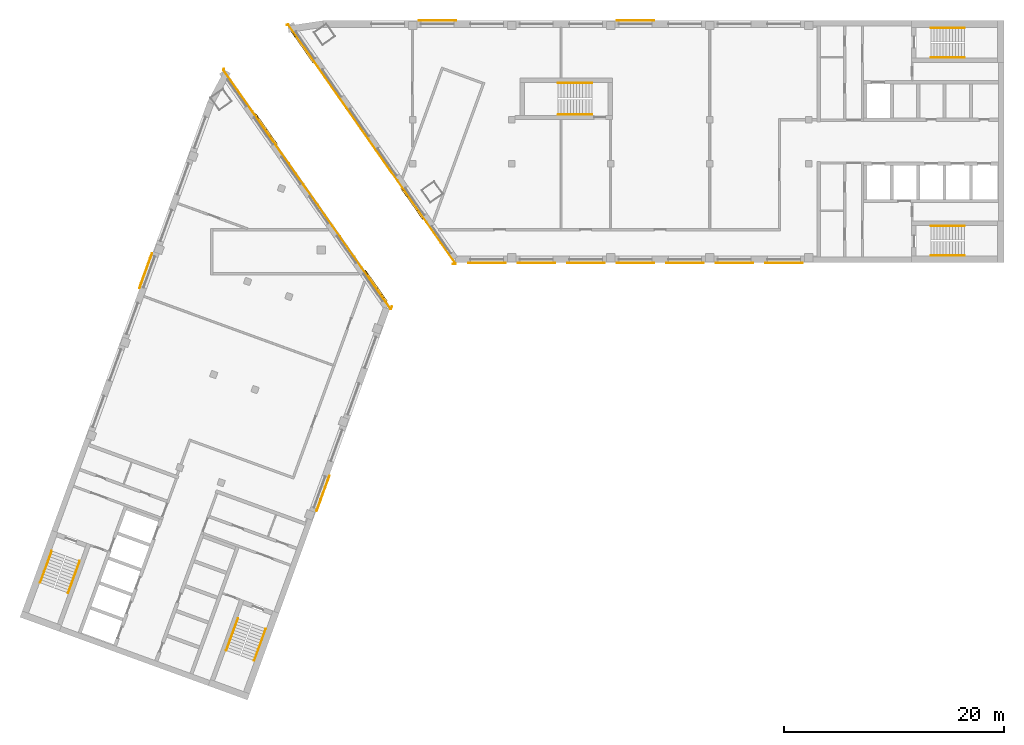
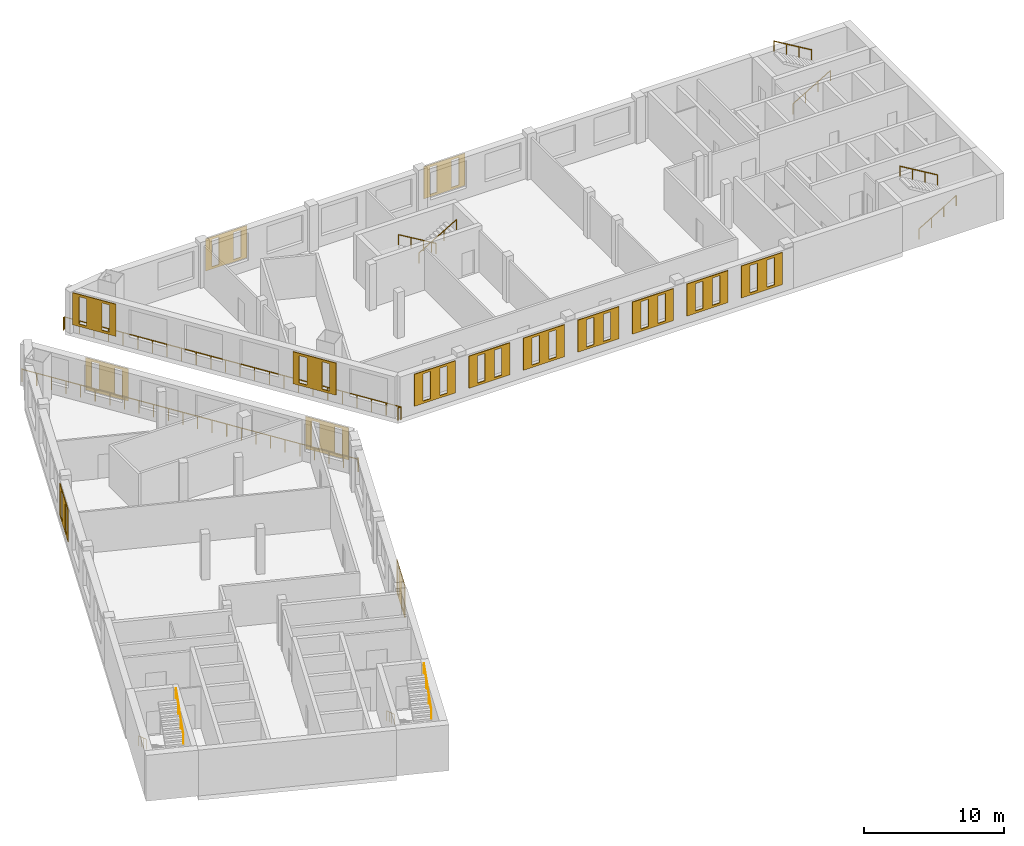
# One storey, part 8 of 8: 15 coverings, 12 railings.
"""IFC4 building model written with IfcOpenShell, lengths in metres."""

import ifcopenshell
import ifcopenshell.guid

model = None  # the IFC model being written
_history = None  # IfcOwnerHistory: only IFC2X3 demands one
_inside = {}  # id of a spatial element -> (the spatial element, [elements in it])
_under = {}  # id of a project, library or spatial element -> (it, [spatial elements below it])
_declared = {}  # id of a project -> (the project, [libraries it declares])
_typed = {}  # id of a type object -> (the type object, [elements of that type])
_made_of = {}  # id of a material, layer set ... -> (it, [elements and type objects made of it])


def new_model(schema):
    """Start an empty IFC model of exactly this schema.

    Asked for "IFC4X3", IfcOpenShell would pick the latest addendum, in which some entities
    have other attributes; the version numbers below select the first issue.
    IFC2X3 requires an IfcOwnerHistory on every rooted entity: one is made here for all.
    """
    global model, _history
    if schema == "IFC4X3":
        model = ifcopenshell.file(schema_version=(4, 3, 0, 0))
    else:
        model = ifcopenshell.file(schema=schema)
    _inside.clear()
    _under.clear()
    _declared.clear()
    _typed.clear()
    _made_of.clear()
    _history = None
    if model.schema == "IFC2X3":
        org = make("IfcOrganization", Name="unknown")
        user = make(
            "IfcPersonAndOrganization",
            ThePerson=make("IfcPerson", FamilyName="unknown"),
            TheOrganization=org,
        )
        app = make(
            "IfcApplication",
            ApplicationDeveloper=org,
            Version="unknown",
            ApplicationFullName="unknown",
            ApplicationIdentifier="unknown",
        )
        _history = make(
            "IfcOwnerHistory",
            OwningUser=user,
            OwningApplication=app,
            ChangeAction="ADDED",
            CreationDate=0,
        )
    return model


def make(cls, **values):
    """One entity of the class cls with the attributes given. An attribute that is None is left unset."""
    return model.create_entity(
        cls, **{name: value for name, value in values.items() if value is not None}
    )


def rooted(cls, **values):
    """An entity with a GlobalId (a new one), such as an element, a storey or a relation."""
    return make(cls, GlobalId=ifcopenshell.guid.new(), OwnerHistory=_history, **values)


def si_unit(unit_type, name, prefix=None):
    """IfcSIUnit, for example si_unit("LENGTHUNIT", "METRE", prefix="MILLI")."""
    return make("IfcSIUnit", UnitType=unit_type, Prefix=prefix, Name=name)


def assignment(units):
    """IfcUnitAssignment: the units of a project."""
    return None if units is None else make("IfcUnitAssignment", Units=units)


def point(xyz):
    """IfcCartesianPoint."""
    return None if xyz is None else make("IfcCartesianPoint", Coordinates=xyz)


def direction(xyz):
    """IfcDirection."""
    return None if xyz is None else make("IfcDirection", DirectionRatios=xyz)


def frame(location, z_axis=None, x_axis=None):
    """IfcAxis2Placement3D, a coordinate frame: its origin and axes. An axis left out is left unset."""
    return make(
        "IfcAxis2Placement3D",
        Location=point(location),
        Axis=direction(z_axis),
        RefDirection=direction(x_axis),
    )


def frame_2d(location, x_axis=None):
    """IfcAxis2Placement2D, a coordinate frame in the plane: its origin and x axis."""
    return make(
        "IfcAxis2Placement2D", Location=point(location), RefDirection=direction(x_axis)
    )


def origin():
    """The frame at (0, 0, 0) with its axes left unset."""
    return frame((0.0, 0.0, 0.0))


def origin_2d():
    """The frame at (0, 0) in the plane with its x axis left unset."""
    return frame_2d((0.0, 0.0))


def place(relative_to, where):
    """IfcLocalPlacement: puts the frame where relative to a parent placement (None: the world)."""
    return make(
        "IfcLocalPlacement", PlacementRelTo=relative_to, RelativePlacement=where
    )


def context(
    kind, dimensions, precision=None, world=None, true_north=None, identifier=None
):
    """IfcGeometricRepresentationContext, for example the 3D "Model" context."""
    return make(
        "IfcGeometricRepresentationContext",
        ContextIdentifier=identifier,
        ContextType=kind,
        CoordinateSpaceDimension=dimensions,
        Precision=precision,
        WorldCoordinateSystem=world,
        TrueNorth=true_north,
    )


def subcontext(parent, identifier, kind, view, scale=None):
    """IfcGeometricRepresentationSubContext, for example "Body" below "Model"."""
    return make(
        "IfcGeometricRepresentationSubContext",
        ContextIdentifier=identifier,
        ContextType=kind,
        ParentContext=parent,
        TargetScale=scale,
        TargetView=view,
    )


def project(units=None, contexts=None):
    """IfcProject with its units and contexts."""
    return rooted(
        "IfcProject",
        Name="project",
        RepresentationContexts=contexts,
        UnitsInContext=assignment(units),
    )


def spatial(cls, under=None, at=None, **own):
    """A site, building, storey or space (cls), placed at a placement, below another one or the project."""
    s = rooted(cls, ObjectPlacement=at, **own)
    if under is not None:
        _under.setdefault(under.id(), (under, []))[1].append(s)
    return s


def polyline(points):
    """IfcPolyline through the points."""
    return make("IfcPolyline", Points=[point(p) for p in points])


def profile(cls, at=None, kind="AREA", **sizes):
    """A parametric profile (cls). Its sizes go by their IFC names, for example OverallWidth=200.0."""
    return make(cls, ProfileType=kind, Position=at, **sizes)


def circle(**sizes):
    """IfcCircleProfileDef."""
    return profile("IfcCircleProfileDef", **sizes)


def outline(outer, holes=None, kind="AREA"):
    """IfcArbitraryClosedProfileDef: a profile drawn as a closed curve; with holes, ...WithVoids."""
    if holes is None:
        return make("IfcArbitraryClosedProfileDef", ProfileType=kind, OuterCurve=outer)
    return make(
        "IfcArbitraryProfileDefWithVoids",
        ProfileType=kind,
        OuterCurve=outer,
        InnerCurves=holes,
    )


def extrude(swept, where, along, depth):
    """IfcExtrudedAreaSolid: the profile swept, set in the frame where, extruded along a direction by depth."""
    return make(
        "IfcExtrudedAreaSolid",
        SweptArea=swept,
        Position=where,
        ExtrudedDirection=direction(along),
        Depth=depth,
    )


def shape(context_of_items, identifier, shape_type, items):
    """IfcShapeRepresentation: the items that make up one representation, for example the "Body"."""
    return make(
        "IfcShapeRepresentation",
        ContextOfItems=context_of_items,
        RepresentationIdentifier=identifier,
        RepresentationType=shape_type,
        Items=items,
    )


def material(Name=None, Category=None):
    """IfcMaterial."""
    return make("IfcMaterial", Name=Name, Category=Category)


def material_profile(
    of_material, cross_section, Name=None, Category=None, Priority=None
):
    """IfcMaterialProfile: a cross section and its material."""
    return make(
        "IfcMaterialProfile",
        Name=Name,
        Material=of_material,
        Profile=cross_section,
        Priority=Priority,
        Category=Category,
    )


def profile_set(profiles, Name=None, composite=None):
    """IfcMaterialProfileSet."""
    return make(
        "IfcMaterialProfileSet",
        Name=Name,
        MaterialProfiles=profiles,
        CompositeProfile=composite,
    )


def made_of(thing, what):
    """Note that an element or type object is made of a material, layer set ...; save() writes the relation."""
    if what is not None:
        _made_of.setdefault(what.id(), (what, []))[1].append(thing)
    return thing


def type_object(cls, material=None, **own):
    """A type object (cls), such as IfcWallType, which elements share."""
    return made_of(rooted(cls, **own), material)


def element(
    cls,
    number,
    at=None,
    inside=None,
    cuts=None,
    type_object=None,
    material=None,
    context=None,
    identifier="Body",
    shape_type=None,
    held_by="IfcProductDefinitionShape",
    body=None,
    shapes=None,
    **own,
):
    """One element of the class cls, such as IfcWall. Its Tag is "e" and its number.

    at: its placement. inside: the storey or other place that contains it. cuts: it is an
    opening in that element (IfcRelVoidsElement). A single representation is given by context,
    identifier, shape_type and body (its items); several are given by shapes. held_by: the class
    of the entity that holds the representations. save() writes the other relations.
    """
    e = rooted(cls, Tag="e%d" % number, ObjectPlacement=at, **own)
    if body is not None:
        shapes = [shape(context, identifier, shape_type, body)]
    if shapes is not None:
        e.Representation = make(held_by, Representations=shapes)
    if inside is not None:
        _inside.setdefault(inside.id(), (inside, []))[1].append(e)
    if cuts is not None:
        rooted(
            "IfcRelVoidsElement", RelatingBuildingElement=cuts, RelatedOpeningElement=e
        )
    if type_object is not None:
        _typed.setdefault(type_object.id(), (type_object, []))[1].append(e)
    return made_of(e, material)


def aggregate(whole, parts):
    """IfcRelAggregates: a whole, such as a stair, and the parts it consists of."""
    return rooted("IfcRelAggregates", RelatingObject=whole, RelatedObjects=parts)


def save(model, path):
    """Write the relations noted so far, then the file.

    IfcRelAggregates (storeys below a building ...), IfcRelContainedInSpatialStructure (elements
    in a storey), IfcRelDefinesByType, IfcRelAssociatesMaterial and IfcRelDeclares: one each for
    every whole, place, type object, material and project.
    """
    for whole, parts in _under.values():
        aggregate(whole, parts)
    for where, things in _inside.values():
        rooted(
            "IfcRelContainedInSpatialStructure",
            RelatedElements=things,
            RelatingStructure=where,
        )
    for kind, things in _typed.values():
        rooted("IfcRelDefinesByType", RelatedObjects=things, RelatingType=kind)
    for what, things in _made_of.values():
        rooted("IfcRelAssociatesMaterial", RelatedObjects=things, RelatingMaterial=what)
    for by, libraries in _declared.values():
        rooted("IfcRelDeclares", RelatingContext=by, RelatedDefinitions=libraries)
    model.write(path)


model = new_model("IFC4")

# Units and contexts
model_context = context("Model", 3, precision=1e-05, world=origin(), true_north=direction((0.0, 1.0)))
body_context = subcontext(model_context, "Body", "Model", "MODEL_VIEW")
ifc_project = project(units=[si_unit("LENGTHUNIT", "METRE"), si_unit("AREAUNIT", "SQUARE_METRE"), si_unit("VOLUMEUNIT", "CUBIC_METRE"), si_unit("PLANEANGLEUNIT", "RADIAN"), si_unit("MASSUNIT", "GRAM", prefix="KILO")], contexts=[model_context])

# Site, building, storey
site_placement = place(None, origin())
site = spatial("IfcSite", under=ifc_project, at=site_placement, CompositionType="ELEMENT")
building_placement = place(site_placement, origin())
building = spatial("IfcBuilding", under=site, at=building_placement, Name="Skarvind Civic Tower", CompositionType="ELEMENT")
storey_placement = place(building_placement, frame((0.0, 0.0, 216.0)))
storey = spatial("IfcBuildingStorey", under=building, at=storey_placement, Name="L51", CompositionType="ELEMENT", Elevation=216.0)

# Railings
ifc_material_1 = material(Name="Stainless steel balustrade", Category="steel")
railing_type_1 = type_object("IfcRailingType", Name="GR1 GUARD 1100", PredefinedType="GUARDRAIL", material=ifc_material_1)
railing_1_placement = place(storey_placement, frame((52.355712890625, 113.008056640625, 0.0)))
element("IfcRailing", 1, at=railing_1_placement, inside=storey, type_object=railing_type_1, Name="TERRACE GUARD", PredefinedType="GUARDRAIL", context=body_context, shape_type="SweptSolid", body=[
    extrude(circle(Radius=0.02392578125, at=origin_2d()), frame((0.0, 0.0, 1.076171875), z_axis=(-0.341743063087, -0.939793423488, 0.0), x_axis=(0.939793423488, -0.341743063087, 0.0)), (0.0, 0.0, 1.0), 0.234375),
    extrude(circle(Radius=0.02392578125, at=origin_2d()), frame((-0.080078125, -0.22021484375, 1.076171875), z_axis=(-0.991835775307, -0.12752174254, 0.0), x_axis=(0.12752174254, -0.991835775307, 0.0)), (0.0, 0.0, 1.0), 0.017333984375),
    extrude(circle(Radius=0.02392578125, at=origin_2d()), frame((-0.09716796875, -0.222412109375, 1.076171875), z_axis=(-0.573578526275, 0.819150580904, 0.0), x_axis=(-0.819150580904, -0.573578526275, 0.0)), (0.0, 0.0, 1.0), 26.512451171875),
    extrude(circle(Radius=0.02392578125, at=origin_2d()), frame((-15.30419921875, 21.495361328125, 1.076171875), z_axis=(0.475790906747, 0.879558419354, 0.0), x_axis=(-0.879558419354, 0.475790906747, 0.0)), (0.0, 0.0, 1.0), 0.11181640625),
    extrude(circle(Radius=0.02099609375, at=origin_2d()), origin(), (0.0, 0.0, 1.0), 1.052001953125),
    extrude(circle(Radius=0.02099609375, at=origin_2d()), frame((-0.080078125, -0.22021484375, 0.0)), (0.0, 0.0, 1.0), 1.052001953125),
    extrude(circle(Radius=0.02099609375, at=origin_2d()), frame((-0.09716796875, -0.222412109375, 0.0)), (0.0, 0.0, 1.0), 1.052001953125),
    extrude(circle(Radius=0.02099609375, at=origin_2d()), frame((-0.75830078125, 0.721923828125, 0.0)), (0.0, 0.0, 1.0), 1.052001953125),
    extrude(circle(Radius=0.02099609375, at=origin_2d()), frame((-1.41943359375, 1.666015625, 0.0)), (0.0, 0.0, 1.0), 1.052001953125),
    extrude(circle(Radius=0.02099609375, at=origin_2d()), frame((-2.080810546875, 2.6103515625, 0.0)), (0.0, 0.0, 1.0), 1.052001953125),
    extrude(circle(Radius=0.02099609375, at=origin_2d()), frame((-2.741943359375, 3.5546875, 0.0)), (0.0, 0.0, 1.0), 1.052001953125),
    extrude(circle(Radius=0.02099609375, at=origin_2d()), frame((-3.403076171875, 4.498779296875, 0.0)), (0.0, 0.0, 1.0), 1.052001953125),
    extrude(circle(Radius=0.02099609375, at=origin_2d()), frame((-4.064208984375, 5.443115234375, 0.0)), (0.0, 0.0, 1.0), 1.052001953125),
    extrude(circle(Radius=0.02099609375, at=origin_2d()), frame((-4.725341796875, 6.387451171875, 0.0)), (0.0, 0.0, 1.0), 1.052001953125),
    extrude(circle(Radius=0.02099609375, at=origin_2d()), frame((-5.386474609375, 7.33154296875, 0.0)), (0.0, 0.0, 1.0), 1.052001953125),
    extrude(circle(Radius=0.02099609375, at=origin_2d()), frame((-6.0478515625, 8.27587890625, 0.0)), (0.0, 0.0, 1.0), 1.052001953125),
    extrude(circle(Radius=0.02099609375, at=origin_2d()), frame((-6.708984375, 9.22021484375, 0.0)), (0.0, 0.0, 1.0), 1.052001953125),
    extrude(circle(Radius=0.02099609375, at=origin_2d()), frame((-7.3701171875, 10.164306640625, 0.0)), (0.0, 0.0, 1.0), 1.052001953125),
    extrude(circle(Radius=0.02099609375, at=origin_2d()), frame((-8.03125, 11.108642578125, 0.0)), (0.0, 0.0, 1.0), 1.052001953125),
    extrude(circle(Radius=0.02099609375, at=origin_2d()), frame((-8.6923828125, 12.052734375, 0.0)), (0.0, 0.0, 1.0), 1.052001953125),
    extrude(circle(Radius=0.02099609375, at=origin_2d()), frame((-9.353515625, 12.9970703125, 0.0)), (0.0, 0.0, 1.0), 1.052001953125),
    extrude(circle(Radius=0.02099609375, at=origin_2d()), frame((-10.014892578125, 13.94140625, 0.0)), (0.0, 0.0, 1.0), 1.052001953125),
    extrude(circle(Radius=0.02099609375, at=origin_2d()), frame((-10.676025390625, 14.885498046875, 0.0)), (0.0, 0.0, 1.0), 1.052001953125),
    extrude(circle(Radius=0.02099609375, at=origin_2d()), frame((-11.337158203125, 15.829833984375, 0.0)), (0.0, 0.0, 1.0), 1.052001953125),
    extrude(circle(Radius=0.02099609375, at=origin_2d()), frame((-11.998291015625, 16.774169921875, 0.0)), (0.0, 0.0, 1.0), 1.052001953125),
    extrude(circle(Radius=0.02099609375, at=origin_2d()), frame((-12.659423828125, 17.71826171875, 0.0)), (0.0, 0.0, 1.0), 1.052001953125),
    extrude(circle(Radius=0.02099609375, at=origin_2d()), frame((-13.320556640625, 18.66259765625, 0.0)), (0.0, 0.0, 1.0), 1.052001953125),
    extrude(circle(Radius=0.02099609375, at=origin_2d()), frame((-13.98193359375, 19.60693359375, 0.0)), (0.0, 0.0, 1.0), 1.052001953125),
    extrude(circle(Radius=0.02099609375, at=origin_2d()), frame((-14.64306640625, 20.551025390625, 0.0)), (0.0, 0.0, 1.0), 1.052001953125),
    extrude(circle(Radius=0.02099609375, at=origin_2d()), frame((-15.30419921875, 21.495361328125, 0.0)), (0.0, 0.0, 1.0), 1.052001953125),
    extrude(circle(Radius=0.02099609375, at=origin_2d()), frame((-15.2509765625, 21.59375, 0.0)), (0.0, 0.0, 1.0), 1.052001953125),
])
railing_2_placement = place(storey_placement, frame((42.8388671875, 138.61669921875, 0.0)))
element("IfcRailing", 2, at=railing_2_placement, inside=storey, type_object=railing_type_1, Name="TERRACE GUARD", PredefinedType="GUARDRAIL", context=body_context, shape_type="SweptSolid", body=[
    extrude(circle(Radius=0.02392578125, at=origin_2d()), frame((0.0, 0.0, 1.076171875), z_axis=(0.988872071431, 0.148768364729, 0.0), x_axis=(-0.148768364729, 0.988872071431, 0.0)), (0.0, 0.0, 1.0), 0.111572265625),
    extrude(circle(Radius=0.02392578125, at=origin_2d()), frame((0.1103515625, 0.0166015625, 1.076171875), z_axis=(0.573580378635, -0.819149283858, 0.0), x_axis=(0.819149283858, 0.573580378635, 0.0)), (0.0, 0.0, 1.0), 26.512939453125),
    extrude(circle(Radius=0.02392578125, at=origin_2d()), frame((15.317626953125, -21.701416015625, 1.076171875), z_axis=(-0.464006994671, -0.88583153528, 0.0), x_axis=(0.88583153528, -0.464006994671, 0.0)), (0.0, 0.0, 1.0), 0.017333984375),
    extrude(circle(Radius=0.02392578125, at=origin_2d()), frame((15.3095703125, -21.716796875, 1.076171875), z_axis=(-1.0, 0.0, 0.0), x_axis=(0.0, -1.0, 0.0)), (0.0, 0.0, 1.0), 0.234375),
    extrude(circle(Radius=0.02099609375, at=origin_2d()), origin(), (0.0, 0.0, 1.0), 1.052001953125),
    extrude(circle(Radius=0.02099609375, at=origin_2d()), frame((0.1103515625, 0.0166015625, 0.0)), (0.0, 0.0, 1.0), 1.052001953125),
    extrude(circle(Radius=0.02099609375, at=origin_2d()), frame((0.771484375, -0.927734375, 0.0)), (0.0, 0.0, 1.0), 1.052001953125),
    extrude(circle(Radius=0.02099609375, at=origin_2d()), frame((1.4326171875, -1.871826171875, 0.0)), (0.0, 0.0, 1.0), 1.052001953125),
    extrude(circle(Radius=0.02099609375, at=origin_2d()), frame((2.093994140625, -2.816162109375, 0.0)), (0.0, 0.0, 1.0), 1.052001953125),
    extrude(circle(Radius=0.02099609375, at=origin_2d()), frame((2.755126953125, -3.760498046875, 0.0)), (0.0, 0.0, 1.0), 1.052001953125),
    extrude(circle(Radius=0.02099609375, at=origin_2d()), frame((3.416259765625, -4.70458984375, 0.0)), (0.0, 0.0, 1.0), 1.052001953125),
    extrude(circle(Radius=0.02099609375, at=origin_2d()), frame((4.077392578125, -5.64892578125, 0.0)), (0.0, 0.0, 1.0), 1.052001953125),
    extrude(circle(Radius=0.02099609375, at=origin_2d()), frame((4.73876953125, -6.59326171875, 0.0)), (0.0, 0.0, 1.0), 1.052001953125),
    extrude(circle(Radius=0.02099609375, at=origin_2d()), frame((5.39990234375, -7.53759765625, 0.0)), (0.0, 0.0, 1.0), 1.052001953125),
    extrude(circle(Radius=0.02099609375, at=origin_2d()), frame((6.06103515625, -8.481689453125, 0.0)), (0.0, 0.0, 1.0), 1.052001953125),
    extrude(circle(Radius=0.02099609375, at=origin_2d()), frame((6.72216796875, -9.426025390625, 0.0)), (0.0, 0.0, 1.0), 1.052001953125),
    extrude(circle(Radius=0.02099609375, at=origin_2d()), frame((7.38330078125, -10.370361328125, 0.0)), (0.0, 0.0, 1.0), 1.052001953125),
    extrude(circle(Radius=0.02099609375, at=origin_2d()), frame((8.044677734375, -11.314453125, 0.0)), (0.0, 0.0, 1.0), 1.052001953125),
    extrude(circle(Radius=0.02099609375, at=origin_2d()), frame((8.705810546875, -12.2587890625, 0.0)), (0.0, 0.0, 1.0), 1.052001953125),
    extrude(circle(Radius=0.02099609375, at=origin_2d()), frame((9.366943359375, -13.203125, 0.0)), (0.0, 0.0, 1.0), 1.052001953125),
    extrude(circle(Radius=0.02099609375, at=origin_2d()), frame((10.028076171875, -14.147216796875, 0.0)), (0.0, 0.0, 1.0), 1.052001953125),
    extrude(circle(Radius=0.02099609375, at=origin_2d()), frame((10.689208984375, -15.091552734375, 0.0)), (0.0, 0.0, 1.0), 1.052001953125),
    extrude(circle(Radius=0.02099609375, at=origin_2d()), frame((11.3505859375, -16.035888671875, 0.0)), (0.0, 0.0, 1.0), 1.052001953125),
    extrude(circle(Radius=0.02099609375, at=origin_2d()), frame((12.01171875, -16.980224609375, 0.0)), (0.0, 0.0, 1.0), 1.052001953125),
    extrude(circle(Radius=0.02099609375, at=origin_2d()), frame((12.6728515625, -17.92431640625, 0.0)), (0.0, 0.0, 1.0), 1.052001953125),
    extrude(circle(Radius=0.02099609375, at=origin_2d()), frame((13.333984375, -18.86865234375, 0.0)), (0.0, 0.0, 1.0), 1.052001953125),
    extrude(circle(Radius=0.02099609375, at=origin_2d()), frame((13.995361328125, -19.81298828125, 0.0)), (0.0, 0.0, 1.0), 1.052001953125),
    extrude(circle(Radius=0.02099609375, at=origin_2d()), frame((14.656494140625, -20.757080078125, 0.0)), (0.0, 0.0, 1.0), 1.052001953125),
    extrude(circle(Radius=0.02099609375, at=origin_2d()), frame((15.317626953125, -21.701416015625, 0.0)), (0.0, 0.0, 1.0), 1.052001953125),
    extrude(circle(Radius=0.02099609375, at=origin_2d()), frame((15.3095703125, -21.716796875, 0.0)), (0.0, 0.0, 1.0), 1.052001953125),
    extrude(circle(Radius=0.02099609375, at=origin_2d()), frame((15.0751953125, -21.716796875, 0.0)), (0.0, 0.0, 1.0), 1.052001953125),
])
ifc_material_2 = material(Name="Painted steel handrail", Category="steel")
railing_type_2 = type_object("IfcRailingType", Name="Stair handrail 900", PredefinedType="HANDRAIL", material=ifc_material_2)
railing_3_placement = place(storey_placement, frame((101.35009765625, 135.64990234375, 0.166748046875)))
element("IfcRailing", 3, at=railing_3_placement, inside=storey, type_object=railing_type_2, Name="Stair handrail", PredefinedType="HANDRAIL", context=body_context, shape_type="SweptSolid", body=[
    extrude(circle(Radius=0.02392578125, at=origin_2d()), frame((0.0, 0.0, 0.8759765625), z_axis=(0.859290745958, 0.0, 0.51148745235), x_axis=(0.0, 1.0, 0.0)), (0.0, 0.0, 1.0), 3.584228515625),
    extrude(circle(Radius=0.02099609375, at=origin_2d()), origin(), (0.0, 0.0, 1.0), 0.851806640625),
    extrude(circle(Radius=0.02099609375, at=origin_2d()), frame((1.026611328125, 0.0, 0.611083984375)), (0.0, 0.0, 1.0), 0.851806640625),
    extrude(circle(Radius=0.02099609375, at=origin_2d()), frame((2.05322265625, 0.0, 1.22216796875)), (0.0, 0.0, 1.0), 0.851806640625),
    extrude(circle(Radius=0.02099609375, at=origin_2d()), frame((3.079833984375, 0.0, 1.833251953125)), (0.0, 0.0, 1.0), 0.851806640625),
])
railing_4_placement = place(storey_placement, frame((104.429931640625, 138.35009765625, 2.166748046875)))
element("IfcRailing", 4, at=railing_4_placement, inside=storey, type_object=railing_type_2, Name="Stair handrail", PredefinedType="HANDRAIL", context=body_context, shape_type="SweptSolid", body=[
    extrude(circle(Radius=0.02392578125, at=origin_2d()), frame((0.0, 0.0, 0.8759765625), z_axis=(-0.859290745958, 0.0, 0.51148745235), x_axis=(0.0, -1.0, 0.0)), (0.0, 0.0, 1.0), 3.584228515625),
    extrude(circle(Radius=0.02099609375, at=origin_2d()), origin(), (0.0, 0.0, 1.0), 0.851806640625),
    extrude(circle(Radius=0.02099609375, at=origin_2d()), frame((-1.026611328125, 0.0, 0.611083984375)), (0.0, 0.0, 1.0), 0.851806640625),
    extrude(circle(Radius=0.02099609375, at=origin_2d()), frame((-2.05322265625, 0.0, 1.22216796875)), (0.0, 0.0, 1.0), 0.851806640625),
    extrude(circle(Radius=0.02099609375, at=origin_2d()), frame((-3.079833984375, 0.0, 1.833251953125)), (0.0, 0.0, 1.0), 0.851806640625),
])
railing_5_placement = place(storey_placement, frame((101.35009765625, 117.64990234375, 0.166748046875)))
element("IfcRailing", 5, at=railing_5_placement, inside=storey, type_object=railing_type_2, Name="Stair handrail", PredefinedType="HANDRAIL", context=body_context, shape_type="SweptSolid", body=[
    extrude(circle(Radius=0.02392578125, at=origin_2d()), frame((0.0, 0.0, 0.8759765625), z_axis=(0.859290745958, 0.0, 0.51148745235), x_axis=(0.0, 1.0, 0.0)), (0.0, 0.0, 1.0), 3.584228515625),
    extrude(circle(Radius=0.02099609375, at=origin_2d()), origin(), (0.0, 0.0, 1.0), 0.851806640625),
    extrude(circle(Radius=0.02099609375, at=origin_2d()), frame((1.026611328125, 0.0, 0.611083984375)), (0.0, 0.0, 1.0), 0.851806640625),
    extrude(circle(Radius=0.02099609375, at=origin_2d()), frame((2.05322265625, 0.0, 1.22216796875)), (0.0, 0.0, 1.0), 0.851806640625),
    extrude(circle(Radius=0.02099609375, at=origin_2d()), frame((3.079833984375, 0.0, 1.833251953125)), (0.0, 0.0, 1.0), 0.851806640625),
])
railing_6_placement = place(storey_placement, frame((104.429931640625, 120.35009765625, 2.166748046875)))
element("IfcRailing", 6, at=railing_6_placement, inside=storey, type_object=railing_type_2, Name="Stair handrail", PredefinedType="HANDRAIL", context=body_context, shape_type="SweptSolid", body=[
    extrude(circle(Radius=0.02392578125, at=origin_2d()), frame((0.0, 0.0, 0.8759765625), z_axis=(-0.859290745958, 0.0, 0.51148745235), x_axis=(0.0, -1.0, 0.0)), (0.0, 0.0, 1.0), 3.584228515625),
    extrude(circle(Radius=0.02099609375, at=origin_2d()), origin(), (0.0, 0.0, 1.0), 0.851806640625),
    extrude(circle(Radius=0.02099609375, at=origin_2d()), frame((-1.026611328125, 0.0, 0.611083984375)), (0.0, 0.0, 1.0), 0.851806640625),
    extrude(circle(Radius=0.02099609375, at=origin_2d()), frame((-2.05322265625, 0.0, 1.22216796875)), (0.0, 0.0, 1.0), 0.851806640625),
    extrude(circle(Radius=0.02099609375, at=origin_2d()), frame((-3.079833984375, 0.0, 1.833251953125)), (0.0, 0.0, 1.0), 0.851806640625),
])
railing_7_placement = place(storey_placement, frame((38.362060546875, 84.64794921875, 0.166748046875)))
element("IfcRailing", 7, at=railing_7_placement, inside=storey, type_object=railing_type_2, Name="Stair handrail", PredefinedType="HANDRAIL", context=body_context, shape_type="SweptSolid", body=[
    extrude(circle(Radius=0.02392578125, at=origin_2d()), frame((0.0, 0.0, 0.8759765625), z_axis=(-0.293908055923, -0.807480881337, 0.511461319103), x_axis=(0.939689235759, -0.342029443467, 0.0)), (0.0, 0.0, 1.0), 3.584228515625),
    extrude(circle(Radius=0.02099609375, at=origin_2d()), origin(), (0.0, 0.0, 1.0), 0.851806640625),
    extrude(circle(Radius=0.02099609375, at=origin_2d()), frame((-0.35107421875, -0.96484375, 0.611083984375)), (0.0, 0.0, 1.0), 0.851806640625),
    extrude(circle(Radius=0.02099609375, at=origin_2d()), frame((-0.702392578125, -1.929443359375, 1.22216796875)), (0.0, 0.0, 1.0), 0.851806640625),
    extrude(circle(Radius=0.02099609375, at=origin_2d()), frame((-1.053466796875, -2.894287109375, 1.833251953125)), (0.0, 0.0, 1.0), 0.851806640625),
])
railing_8_placement = place(storey_placement, frame((39.845703125, 80.830078125, 2.166748046875)))
element("IfcRailing", 8, at=railing_8_placement, inside=storey, type_object=railing_type_2, Name="Stair handrail", PredefinedType="HANDRAIL", context=body_context, shape_type="SweptSolid", body=[
    extrude(circle(Radius=0.02392578125, at=origin_2d()), frame((0.0, 0.0, 0.8759765625), z_axis=(0.293908055923, 0.807480881337, 0.511461319103), x_axis=(-0.939689235759, 0.342029443467, 0.0)), (0.0, 0.0, 1.0), 3.584228515625),
    extrude(circle(Radius=0.02099609375, at=origin_2d()), origin(), (0.0, 0.0, 1.0), 0.851806640625),
    extrude(circle(Radius=0.02099609375, at=origin_2d()), frame((0.35107421875, 0.96484375, 0.611083984375)), (0.0, 0.0, 1.0), 0.851806640625),
    extrude(circle(Radius=0.02099609375, at=origin_2d()), frame((0.702392578125, 1.929443359375, 1.22216796875)), (0.0, 0.0, 1.0), 0.851806640625),
    extrude(circle(Radius=0.02099609375, at=origin_2d()), frame((1.053466796875, 2.894287109375, 1.833251953125)), (0.0, 0.0, 1.0), 0.851806640625),
])
railing_9_placement = place(storey_placement, frame((21.447509765625, 90.80419921875, 0.166748046875)))
element("IfcRailing", 9, at=railing_9_placement, inside=storey, type_object=railing_type_2, Name="Stair handrail", PredefinedType="HANDRAIL", context=body_context, shape_type="SweptSolid", body=[
    extrude(circle(Radius=0.02392578125, at=origin_2d()), frame((0.0, 0.0, 0.8759765625), z_axis=(-0.293845824691, -0.807497044902, 0.511471557163), x_axis=(0.939714709796, -0.34195944817, 0.0)), (0.0, 0.0, 1.0), 3.584228515625),
    extrude(circle(Radius=0.02099609375, at=origin_2d()), origin(), (0.0, 0.0, 1.0), 0.851806640625),
    extrude(circle(Radius=0.02099609375, at=origin_2d()), frame((-0.35107421875, -0.96484375, 0.611083984375)), (0.0, 0.0, 1.0), 0.851806640625),
    extrude(circle(Radius=0.02099609375, at=origin_2d()), frame((-0.7021484375, -1.929443359375, 1.22216796875)), (0.0, 0.0, 1.0), 0.851806640625),
    extrude(circle(Radius=0.02099609375, at=origin_2d()), frame((-1.05322265625, -2.894287109375, 1.833251953125)), (0.0, 0.0, 1.0), 0.851806640625),
])
railing_10_placement = place(storey_placement, frame((22.931396484375, 86.986572265625, 2.166748046875)))
element("IfcRailing", 10, at=railing_10_placement, inside=storey, type_object=railing_type_2, Name="Stair handrail", PredefinedType="HANDRAIL", context=body_context, shape_type="SweptSolid", body=[
    extrude(circle(Radius=0.02392578125, at=origin_2d()), frame((0.0, 0.0, 0.8759765625), z_axis=(0.293908055923, 0.807480881337, 0.511461319103), x_axis=(-0.939689235759, 0.342029443467, 0.0)), (0.0, 0.0, 1.0), 3.584228515625),
    extrude(circle(Radius=0.02099609375, at=origin_2d()), origin(), (0.0, 0.0, 1.0), 0.851806640625),
    extrude(circle(Radius=0.02099609375, at=origin_2d()), frame((0.35107421875, 0.96484375, 0.611083984375)), (0.0, 0.0, 1.0), 0.851806640625),
    extrude(circle(Radius=0.02099609375, at=origin_2d()), frame((0.702392578125, 1.929443359375, 1.22216796875)), (0.0, 0.0, 1.0), 0.851806640625),
    extrude(circle(Radius=0.02099609375, at=origin_2d()), frame((1.053466796875, 2.894287109375, 1.833251953125)), (0.0, 0.0, 1.0), 0.851806640625),
])
railing_11_placement = place(storey_placement, frame((70.550048828125, 133.35009765625, 0.166748046875)))
element("IfcRailing", 11, at=railing_11_placement, inside=storey, type_object=railing_type_2, Name="Stair handrail", PredefinedType="HANDRAIL", context=body_context, shape_type="SweptSolid", body=[
    extrude(circle(Radius=0.02392578125, at=origin_2d()), frame((0.0, 0.0, 0.8759765625), z_axis=(-0.859308565015, 0.0, 0.511457515432), x_axis=(0.0, -1.0, 0.0)), (0.0, 0.0, 1.0), 3.58447265625),
    extrude(circle(Radius=0.02099609375, at=origin_2d()), origin(), (0.0, 0.0, 1.0), 0.851806640625),
    extrude(circle(Radius=0.02099609375, at=origin_2d()), frame((-1.026611328125, 0.0, 0.611083984375)), (0.0, 0.0, 1.0), 0.851806640625),
    extrude(circle(Radius=0.02099609375, at=origin_2d()), frame((-2.053466796875, 0.0, 1.22216796875)), (0.0, 0.0, 1.0), 0.851806640625),
    extrude(circle(Radius=0.02099609375, at=origin_2d()), frame((-3.080078125, 0.0, 1.833251953125)), (0.0, 0.0, 1.0), 0.851806640625),
])
railing_12_placement = place(storey_placement, frame((67.469970703125, 130.449951171875, 2.166748046875)))
element("IfcRailing", 12, at=railing_12_placement, inside=storey, type_object=railing_type_2, Name="Stair handrail", PredefinedType="HANDRAIL", context=body_context, shape_type="SweptSolid", body=[
    extrude(circle(Radius=0.02392578125, at=origin_2d()), frame((0.0, 0.0, 0.8759765625), z_axis=(0.859308565015, 0.0, 0.511457515432), x_axis=(0.0, 1.0, 0.0)), (0.0, 0.0, 1.0), 3.58447265625),
    extrude(circle(Radius=0.02099609375, at=origin_2d()), origin(), (0.0, 0.0, 1.0), 0.851806640625),
    extrude(circle(Radius=0.02099609375, at=origin_2d()), frame((1.026611328125, 0.0, 0.611083984375)), (0.0, 0.0, 1.0), 0.851806640625),
    extrude(circle(Radius=0.02099609375, at=origin_2d()), frame((2.053466796875, 0.0, 1.22216796875)), (0.0, 0.0, 1.0), 0.851806640625),
    extrude(circle(Radius=0.02099609375, at=origin_2d()), frame((3.080078125, 0.0, 1.833251953125)), (0.0, 0.0, 1.0), 0.851806640625),
])

# Coverings
ifc_material_3 = material(Name="Terracotta", Category="masonry")
ifc_material_profile_1 = material_profile(ifc_material_3, outline(polyline([(-1.699951171875, -1.39990234375), (1.699951171875, -1.39990234375), (1.699951171875, 1.39990234375), (-1.699951171875, 1.39990234375), (-1.699951171875, -1.39990234375)]), holes=[polyline([(-1.0, -1.18994140625), (-0.39990234375, -1.18994140625), (-0.39990234375, 1.18994140625), (-1.0, 1.18994140625), (-1.0, -1.18994140625)]), polyline([(0.39990234375, -1.18994140625), (1.0, -1.18994140625), (1.0, 1.18994140625), (0.39990234375, 1.18994140625), (0.39990234375, -1.18994140625)])]), Name="TERRACOTTA SCREEN 3400 x 2800, SLIT PITCH 1400")
ifc_profile_set_1 = profile_set([ifc_material_profile_1], Name="Terracotta")
covering_type_1 = type_object("IfcCoveringType", Name="TERRACOTTA SCREEN 3400 x 2800, SLIT PITCH 1400", PredefinedType="CLADDING", material=ifc_profile_set_1)
for number, where, z_axis, x_axis, name in (
    (13, (88.0, 117.0, 2.10009765625), (0.0, -1.0, 0.0), (1.0, 0.0, 0.0), "TERRACOTTA SCREEN"),
    (14, (83.5, 117.0, 2.10009765625), (0.0, -1.0, 0.0), (1.0, 0.0, 0.0), "TERRACOTTA SCREEN"),
    (15, (79.0, 117.0, 2.10009765625), (0.0, -1.0, 0.0), (1.0, 0.0, 0.0), "TERRACOTTA SCREEN"),
    (16, (74.5, 117.0, 2.10009765625), (0.0, -1.0, 0.0), (1.0, 0.0, 0.0), "TERRACOTTA SCREEN"),
    (17, (70.0, 117.0, 2.10009765625), (0.0, -1.0, 0.0), (1.0, 0.0, 0.0), "TERRACOTTA SCREEN"),
    (18, (65.5, 117.0, 2.10009765625), (0.0, -1.0, 0.0), (1.0, 0.0, 0.0), "TERRACOTTA SCREEN"),
    (19, (61.0, 117.0, 2.10009765625), (0.0, -1.0, 0.0), (1.0, 0.0, 0.0), "TERRACOTTA SCREEN"),
):
    element("IfcCovering", number, at=place(storey_placement, frame(where, z_axis=z_axis, x_axis=x_axis)), inside=storey, type_object=covering_type_1, Name=name, PredefinedType="CLADDING", context=body_context, shape_type="SweptSolid", body=[
        extrude(outline(polyline([(-1.699951171875, -1.39990234375), (1.699951171875, -1.39990234375), (1.699951171875, 1.39990234375), (-1.699951171875, 1.39990234375), (-1.699951171875, -1.39990234375)]), holes=[polyline([(-1.0, -1.18994140625), (-0.39990234375, -1.18994140625), (-0.39990234375, 1.18994140625), (-1.0, 1.18994140625), (-1.0, -1.18994140625)]), polyline([(0.39990234375, -1.18994140625), (1.0, -1.18994140625), (1.0, 1.18994140625), (0.39990234375, 1.18994140625), (0.39990234375, -1.18994140625)])]), origin(), (0.0, 0.0, 1.0), 0.06005859375),
    ])
ifc_material_profile_2 = material_profile(ifc_material_3, outline(polyline([(-1.699951171875, -1.39990234375), (1.699951171875, -1.39990234375), (1.699951171875, 1.39990234375), (-1.699951171875, 1.39990234375), (-1.699951171875, -1.39990234375)]), holes=[polyline([(-1.199951171875, -1.18994140625), (-0.60009765625, -1.18994140625), (-0.60009765625, 1.18994140625), (-1.199951171875, 1.18994140625), (-1.199951171875, -1.18994140625)]), polyline([(0.60009765625, -1.18994140625), (1.199951171875, -1.18994140625), (1.199951171875, 1.18994140625), (0.60009765625, 1.18994140625), (0.60009765625, -1.18994140625)])]), Name="TERRACOTTA SCREEN 3400 x 2800, SLIT PITCH 1800")
ifc_profile_set_2 = profile_set([ifc_material_profile_2], Name="Terracotta")
covering_type_2 = type_object("IfcCoveringType", Name="TERRACOTTA SCREEN 3400 x 2800, SLIT PITCH 1800", PredefinedType="CLADDING", material=ifc_profile_set_2)
covering_1_placement = place(storey_placement, frame((54.20703125, 122.38134765625, 2.10009765625), z_axis=(-0.819994031533, -0.572372071515, 0.0), x_axis=(0.572372071515, -0.819994031533, 0.0)))
element("IfcCovering", 20, at=covering_1_placement, inside=storey, type_object=covering_type_2, Name="TERRACOTTA SCREEN", PredefinedType="CLADDING", context=body_context, shape_type="SweptSolid", body=[
    extrude(outline(polyline([(-1.699951171875, -1.39990234375), (1.699951171875, -1.39990234375), (1.699951171875, 1.39990234375), (-1.699951171875, 1.39990234375), (-1.699951171875, -1.39990234375)]), holes=[polyline([(-1.199951171875, -1.18994140625), (-0.60009765625, -1.18994140625), (-0.60009765625, 1.18994140625), (-1.199951171875, 1.18994140625), (-1.199951171875, -1.18994140625)]), polyline([(0.60009765625, -1.18994140625), (1.199951171875, -1.18994140625), (1.199951171875, 1.18994140625), (0.60009765625, 1.18994140625), (0.60009765625, -1.18994140625)])]), origin(), (0.0, 0.0, 1.0), 0.06005859375),
])
covering_2_placement = place(storey_placement, frame((44.244873046875, 136.6083984375, 2.10009765625), z_axis=(-0.820572225759, -0.571542843812, 0.0), x_axis=(0.571542843812, -0.820572225759, 0.0)))
element("IfcCovering", 21, at=covering_2_placement, inside=storey, type_object=covering_type_2, Name="TERRACOTTA SCREEN", PredefinedType="CLADDING", context=body_context, shape_type="SweptSolid", body=[
    extrude(outline(polyline([(-1.699951171875, -1.39990234375), (1.699951171875, -1.39990234375), (1.699951171875, 1.39990234375), (-1.699951171875, 1.39990234375), (-1.699951171875, -1.39990234375)]), holes=[polyline([(-1.199951171875, -1.18994140625), (-0.60009765625, -1.18994140625), (-0.60009765625, 1.18994140625), (-1.199951171875, 1.18994140625), (-1.199951171875, -1.18994140625)]), polyline([(0.60009765625, -1.18994140625), (1.199951171875, -1.18994140625), (1.199951171875, 1.18994140625), (0.60009765625, 1.18994140625), (0.60009765625, -1.18994140625)])]), origin(), (0.0, 0.0, 1.0), 0.059814453125),
])
for number, where, z_axis, x_axis, name in (
    (22, (56.5, 139.0, 2.10009765625), (0.0, 1.0, 0.0), (-1.0, 0.0, 0.0), "TERRACOTTA SCREEN"),
    (23, (74.5, 139.0, 2.10009765625), (0.0, 1.0, 0.0), (-1.0, 0.0, 0.0), "TERRACOTTA SCREEN"),
    (24, (46.075927734375, 96.047119140625, 2.10009765625), (0.939793423488, -0.341743063087, 0.0), (0.341743063087, 0.939793423488, 0.0), "TERRACOTTA SCREEN"),
    (25, (40.93701171875, 129.12890625, 2.10009765625), (0.81865747399, 0.57428210862, 0.0), (-0.57428210862, 0.81865747399, 0.0), "TERRACOTTA SCREEN"),
    (26, (50.89892578125, 114.901611328125, 2.10009765625), (0.81865747399, 0.57428210862, 0.0), (-0.57428210862, 0.81865747399, 0.0), "TERRACOTTA SCREEN"),
    (27, (30.02001953125, 116.25732421875, 2.10009765625), (-0.939793423488, 0.341743063087, 0.0), (-0.341743063087, -0.939793423488, 0.0), "TERRACOTTA SCREEN"),
):
    element("IfcCovering", number, at=place(storey_placement, frame(where, z_axis=z_axis, x_axis=x_axis)), inside=storey, type_object=covering_type_2, Name=name, PredefinedType="CLADDING", context=body_context, shape_type="SweptSolid", body=[
        extrude(outline(polyline([(-1.699951171875, -1.39990234375), (1.699951171875, -1.39990234375), (1.699951171875, 1.39990234375), (-1.699951171875, 1.39990234375), (-1.699951171875, -1.39990234375)]), holes=[polyline([(-1.199951171875, -1.18994140625), (-0.60009765625, -1.18994140625), (-0.60009765625, 1.18994140625), (-1.199951171875, 1.18994140625), (-1.199951171875, -1.18994140625)]), polyline([(0.60009765625, -1.18994140625), (1.199951171875, -1.18994140625), (1.199951171875, 1.18994140625), (0.60009765625, 1.18994140625), (0.60009765625, -1.18994140625)])]), origin(), (0.0, 0.0, 1.0), 0.06005859375),
    ])

save(model, "model.ifc")
